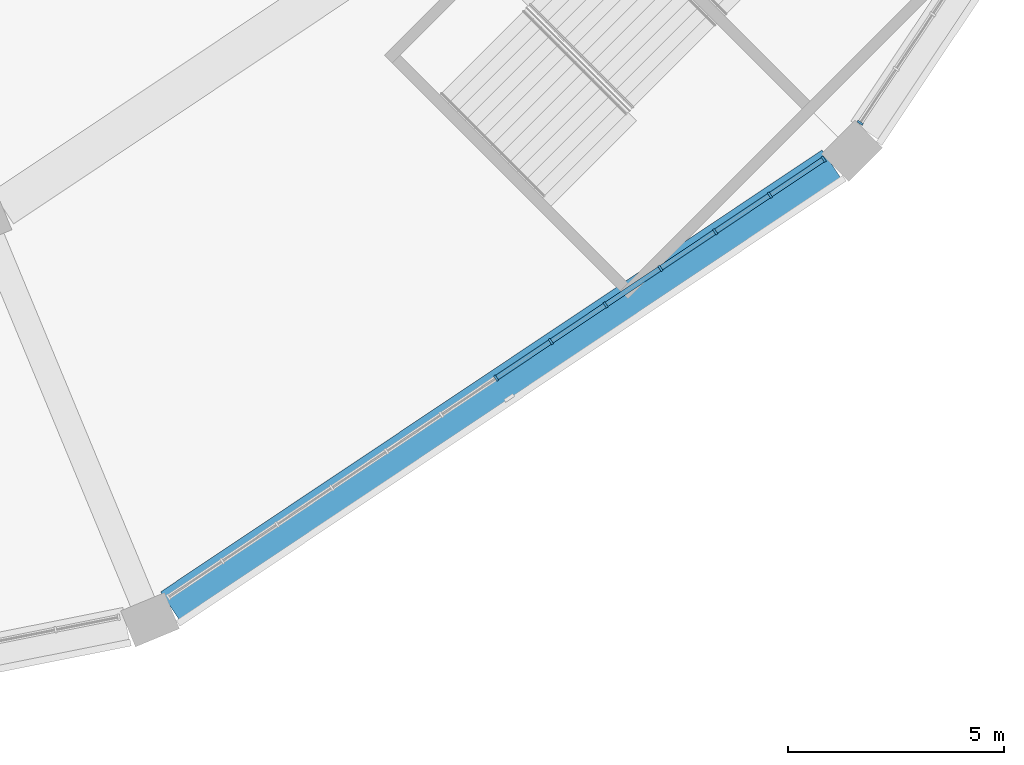
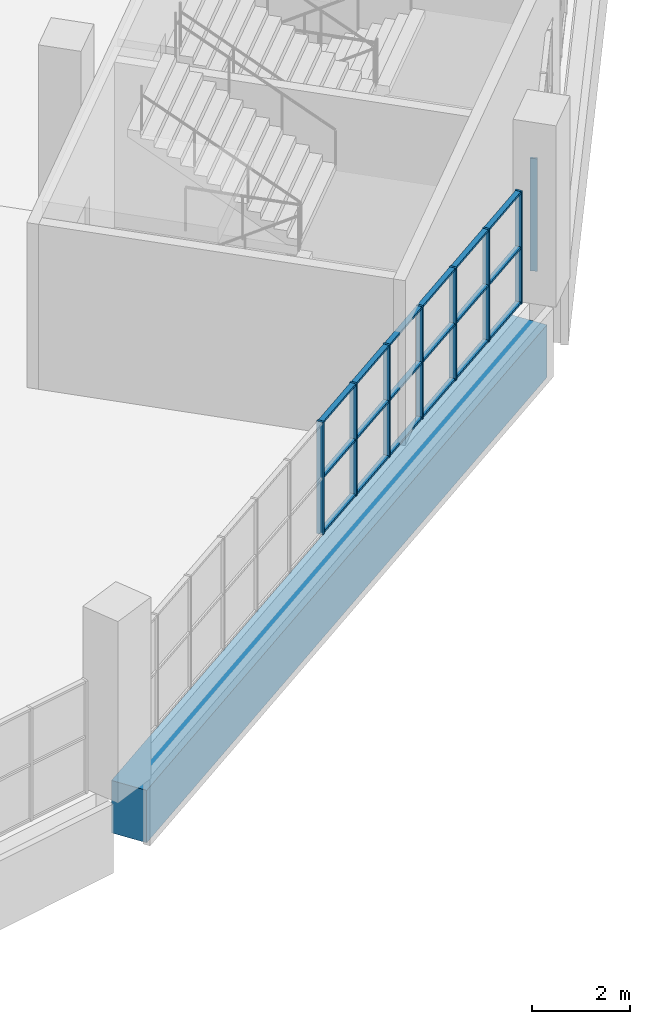
# One storey, part 22 of 199: 26 members, 1 beam, 2 elements without a shape of their own.
"""IFC4 building model written with IfcOpenShell, lengths in metres."""

from ifc_helpers import new_model, si_unit, direction, frame, origin, origin_2d, place, context, subcontext, project, spatial, rectangle, extrude, material, material_profile, profile_set, type_object, element, aggregate, save


model = new_model("IFC4")

# Units and contexts
model_context = context("Model", 3, precision=1e-05, world=origin(), true_north=direction((0.0, 1.0)))
body_context = subcontext(model_context, "Body", "Model", "MODEL_VIEW")
ifc_project = project(units=[si_unit("LENGTHUNIT", "METRE"), si_unit("AREAUNIT", "SQUARE_METRE"), si_unit("VOLUMEUNIT", "CUBIC_METRE"), si_unit("PLANEANGLEUNIT", "RADIAN"), si_unit("MASSUNIT", "GRAM", prefix="KILO")], contexts=[model_context])

# Site, building, storey
site_placement = place(None, origin())
site = spatial("IfcSite", under=ifc_project, at=site_placement, CompositionType="ELEMENT")
building_placement = place(site_placement, origin())
building = spatial("IfcBuilding", under=site, at=building_placement, Name="Ogive Plaza Stadium", CompositionType="ELEMENT")
storey_placement = place(building_placement, frame((0.0, 0.0, 9.0)))
storey = spatial("IfcBuildingStorey", under=building, at=storey_placement, Name="L02", CompositionType="ELEMENT", Elevation=9.0)

# Curtain wall, member
ifc_material_1 = material(Name="Bronze-anodised aluminium with laminated glass", Category="aluminium")
curtain_wall_type = type_object("IfcCurtainWallType", Name="Lancet curtain wall", PredefinedType="NOTDEFINED", material=ifc_material_1)
curtain_wall_1_placement = place(storey_placement, origin())
curtain_wall_1 = element("IfcCurtainWall", 1, at=curtain_wall_1_placement, inside=storey, type_object=curtain_wall_type, Name="CURTAIN WALL B09 L02", PredefinedType="NOTDEFINED")
ifc_material_2 = material(Name="Bronze-anodised aluminium", Category="aluminium")
ifc_material_profile_1 = material_profile(ifc_material_2, rectangle(XDim=0.14990234375, YDim=0.050048828125, at=origin_2d()), Name="AL 150x50")
ifc_profile_set_1 = profile_set([ifc_material_profile_1], Name="Bronze-anodised aluminium")
member_type_1 = type_object("IfcMemberType", Name="Curtain wall mullion 50x150", PredefinedType="MULLION", material=ifc_profile_set_1)
member_1_placement = place(storey_placement, frame((69.547607421875, -87.20751953125, 0.0), z_axis=(0.0, 0.0, 1.0), x_axis=(0.831469612303, -0.55557023302, 0.0)))
member_1 = element("IfcMember", 2, at=member_1_placement, type_object=member_type_1, Name="CW-B09-L02 mullion 13", PredefinedType="MULLION", context=body_context, shape_type="SweptSolid", body=[
    extrude(rectangle(XDim=0.14990234375, YDim=0.050048828125, at=origin_2d()), origin(), (0.0, 0.0, 1.0), 2.7900390625),
])
aggregate(curtain_wall_1, [member_1])

# Curtain wall, members
curtain_wall_2_placement = place(storey_placement, origin())
curtain_wall_2 = element("IfcCurtainWall", 3, at=curtain_wall_2_placement, inside=storey, type_object=curtain_wall_type, Name="CURTAIN WALL B10 L02", PredefinedType="NOTDEFINED")
member_2_placement = place(storey_placement, frame((68.70751953125, -88.047607421875, 0.0), z_axis=(0.0, 0.0, 1.0), x_axis=(0.55557023302, -0.831469612303, 0.0)))
member_2 = element("IfcMember", 4, at=member_2_placement, type_object=member_type_1, Name="CW-B10-L02 mullion 1", PredefinedType="MULLION", context=body_context, shape_type="SweptSolid", body=[
    extrude(rectangle(XDim=0.14990234375, YDim=0.050048828125, at=origin_2d()), origin(), (0.0, 0.0, 1.0), 2.7900390625),
])
member_3_placement = place(storey_placement, frame((67.462646484375, -88.879638671875, 0.0), z_axis=(0.0, 0.0, 1.0), x_axis=(0.55557023302, -0.831469612303, 0.0)))
member_3 = element("IfcMember", 5, at=member_3_placement, type_object=member_type_1, Name="CW-B10-L02 mullion 2", PredefinedType="MULLION", context=body_context, shape_type="SweptSolid", body=[
    extrude(rectangle(XDim=0.14990234375, YDim=0.050048828125, at=origin_2d()), origin(), (0.0, 0.0, 1.0), 2.7900390625),
])
member_4_placement = place(storey_placement, frame((66.19677734375, -89.725341796875, 0.0), z_axis=(0.0, 0.0, 1.0), x_axis=(0.55557023302, -0.831469612303, 0.0)))
member_4 = element("IfcMember", 6, at=member_4_placement, type_object=member_type_1, Name="CW-B10-L02 mullion 3", PredefinedType="MULLION", context=body_context, shape_type="SweptSolid", body=[
    extrude(rectangle(XDim=0.14990234375, YDim=0.050048828125, at=origin_2d()), origin(), (0.0, 0.0, 1.0), 2.7900390625),
])
member_5_placement = place(storey_placement, frame((64.930908203125, -90.571044921875, 0.0), z_axis=(0.0, 0.0, 1.0), x_axis=(0.55557023302, -0.831469612303, 0.0)))
member_5 = element("IfcMember", 7, at=member_5_placement, type_object=member_type_1, Name="CW-B10-L02 mullion 4", PredefinedType="MULLION", context=body_context, shape_type="SweptSolid", body=[
    extrude(rectangle(XDim=0.14990234375, YDim=0.050048828125, at=origin_2d()), origin(), (0.0, 0.0, 1.0), 2.7900390625),
])
member_6_placement = place(storey_placement, frame((63.665283203125, -91.416748046875, 0.0), z_axis=(0.0, 0.0, 1.0), x_axis=(0.55557023302, -0.831469612303, 0.0)))
member_6 = element("IfcMember", 8, at=member_6_placement, type_object=member_type_1, Name="CW-B10-L02 mullion 5", PredefinedType="MULLION", context=body_context, shape_type="SweptSolid", body=[
    extrude(rectangle(XDim=0.14990234375, YDim=0.050048828125, at=origin_2d()), origin(), (0.0, 0.0, 1.0), 2.7900390625),
])
member_7_placement = place(storey_placement, frame((62.3994140625, -92.2626953125, 0.0), z_axis=(0.0, 0.0, 1.0), x_axis=(0.55557023302, -0.831469612303, 0.0)))
member_7 = element("IfcMember", 9, at=member_7_placement, type_object=member_type_1, Name="CW-B10-L02 mullion 6", PredefinedType="MULLION", context=body_context, shape_type="SweptSolid", body=[
    extrude(rectangle(XDim=0.14990234375, YDim=0.050048828125, at=origin_2d()), origin(), (0.0, 0.0, 1.0), 2.7900390625),
])
member_8_placement = place(storey_placement, frame((61.133544921875, -93.1083984375, 0.0), z_axis=(0.0, 0.0, 1.0), x_axis=(0.55557023302, -0.831469612303, 0.0)))
member_8 = element("IfcMember", 10, at=member_8_placement, type_object=member_type_1, Name="CW-B10-L02 mullion 7", PredefinedType="MULLION", context=body_context, shape_type="SweptSolid", body=[
    extrude(rectangle(XDim=0.14990234375, YDim=0.050048828125, at=origin_2d()), origin(), (0.0, 0.0, 1.0), 2.7900390625),
])
ifc_material_3 = material(Name="Bronze-anodised aluminium", Category="aluminium")
ifc_material_profile_2 = material_profile(ifc_material_3, rectangle(XDim=0.1201171875, YDim=0.050048828125, at=origin_2d()), Name="AL 120x50")
ifc_profile_set_2 = profile_set([ifc_material_profile_2], Name="Bronze-anodised aluminium")
member_type_2 = type_object("IfcMemberType", Name="Curtain wall transom 50x120", PredefinedType="USERDEFINED", material=ifc_profile_set_2)
member_9_placement = place(storey_placement, frame((68.686767578125, -88.0615234375, 0.02490234375), z_axis=(-0.831426948977, -0.555634077892, 0.0), x_axis=(0.555634077892, -0.831426948977, 0.0)))
member_9 = element("IfcMember", 11, at=member_9_placement, type_object=member_type_2, Name="CW-B10-L02 transom 1.1", ObjectType="TRANSOM", PredefinedType="USERDEFINED", context=body_context, shape_type="SweptSolid", body=[
    extrude(rectangle(XDim=0.1201171875, YDim=0.050048828125, at=origin_2d()), origin(), (0.0, 0.0, 1.0), 1.447265625),
])
member_10_placement = place(storey_placement, frame((68.686767578125, -88.0615234375, 1.39501953125), z_axis=(-0.831426948977, -0.555634077892, 0.0), x_axis=(0.555634077892, -0.831426948977, 0.0)))
member_10 = element("IfcMember", 12, at=member_10_placement, type_object=member_type_2, Name="CW-B10-L02 transom 1.2", ObjectType="TRANSOM", PredefinedType="USERDEFINED", context=body_context, shape_type="SweptSolid", body=[
    extrude(rectangle(XDim=0.1201171875, YDim=0.050048828125, at=origin_2d()), origin(), (0.0, 0.0, 1.0), 1.447265625),
])
member_11_placement = place(storey_placement, frame((68.686767578125, -88.0615234375, 2.764892578125), z_axis=(-0.831426948977, -0.555634077892, 0.0), x_axis=(0.555634077892, -0.831426948977, 0.0)))
member_11 = element("IfcMember", 13, at=member_11_placement, type_object=member_type_2, Name="CW-B10-L02 transom 1.3", ObjectType="TRANSOM", PredefinedType="USERDEFINED", context=body_context, shape_type="SweptSolid", body=[
    extrude(rectangle(XDim=0.1201171875, YDim=0.050048828125, at=origin_2d()), origin(), (0.0, 0.0, 1.0), 1.447265625),
])
member_12_placement = place(storey_placement, frame((67.441650390625, -88.893310546875, 0.02490234375), z_axis=(-0.831411982446, -0.555656472512, 0.0), x_axis=(0.555656472512, -0.831411982446, 0.0)))
member_12 = element("IfcMember", 14, at=member_12_placement, type_object=member_type_2, Name="CW-B10-L02 transom 2.1", ObjectType="TRANSOM", PredefinedType="USERDEFINED", context=body_context, shape_type="SweptSolid", body=[
    extrude(rectangle(XDim=0.1201171875, YDim=0.050048828125, at=origin_2d()), origin(), (0.0, 0.0, 1.0), 1.472412109375),
])
member_13_placement = place(storey_placement, frame((67.441650390625, -88.893310546875, 1.39501953125), z_axis=(-0.831411982446, -0.555656472512, 0.0), x_axis=(0.555656472512, -0.831411982446, 0.0)))
member_13 = element("IfcMember", 15, at=member_13_placement, type_object=member_type_2, Name="CW-B10-L02 transom 2.2", ObjectType="TRANSOM", PredefinedType="USERDEFINED", context=body_context, shape_type="SweptSolid", body=[
    extrude(rectangle(XDim=0.1201171875, YDim=0.050048828125, at=origin_2d()), origin(), (0.0, 0.0, 1.0), 1.472412109375),
])
member_14_placement = place(storey_placement, frame((67.441650390625, -88.893310546875, 2.764892578125), z_axis=(-0.831411982446, -0.555656472512, 0.0), x_axis=(0.555656472512, -0.831411982446, 0.0)))
member_14 = element("IfcMember", 16, at=member_14_placement, type_object=member_type_2, Name="CW-B10-L02 transom 2.3", ObjectType="TRANSOM", PredefinedType="USERDEFINED", context=body_context, shape_type="SweptSolid", body=[
    extrude(rectangle(XDim=0.1201171875, YDim=0.050048828125, at=origin_2d()), origin(), (0.0, 0.0, 1.0), 1.472412109375),
])
member_15_placement = place(storey_placement, frame((66.176025390625, -89.7392578125, 0.02490234375), z_axis=(-0.83153975619, -0.555465240925, 0.0), x_axis=(0.555465240925, -0.83153975619, 0.0)))
member_15 = element("IfcMember", 17, at=member_15_placement, type_object=member_type_2, Name="CW-B10-L02 transom 3.1", ObjectType="TRANSOM", PredefinedType="USERDEFINED", context=body_context, shape_type="SweptSolid", body=[
    extrude(rectangle(XDim=0.1201171875, YDim=0.050048828125, at=origin_2d()), origin(), (0.0, 0.0, 1.0), 1.472412109375),
])
member_16_placement = place(storey_placement, frame((66.176025390625, -89.7392578125, 1.39501953125), z_axis=(-0.83153975619, -0.555465240925, 0.0), x_axis=(0.555465240925, -0.83153975619, 0.0)))
member_16 = element("IfcMember", 18, at=member_16_placement, type_object=member_type_2, Name="CW-B10-L02 transom 3.2", ObjectType="TRANSOM", PredefinedType="USERDEFINED", context=body_context, shape_type="SweptSolid", body=[
    extrude(rectangle(XDim=0.1201171875, YDim=0.050048828125, at=origin_2d()), origin(), (0.0, 0.0, 1.0), 1.472412109375),
])
member_17_placement = place(storey_placement, frame((66.176025390625, -89.7392578125, 2.764892578125), z_axis=(-0.83153975619, -0.555465240925, 0.0), x_axis=(0.555465240925, -0.83153975619, 0.0)))
member_17 = element("IfcMember", 19, at=member_17_placement, type_object=member_type_2, Name="CW-B10-L02 transom 3.3", ObjectType="TRANSOM", PredefinedType="USERDEFINED", context=body_context, shape_type="SweptSolid", body=[
    extrude(rectangle(XDim=0.1201171875, YDim=0.050048828125, at=origin_2d()), origin(), (0.0, 0.0, 1.0), 1.472412109375),
])
member_18_placement = place(storey_placement, frame((64.91015625, -90.5849609375, 0.02490234375), z_axis=(-0.831488586159, -0.555541835587, 0.0), x_axis=(0.555541835587, -0.831488586159, 0.0)))
member_18 = element("IfcMember", 20, at=member_18_placement, type_object=member_type_2, Name="CW-B10-L02 transom 4.1", ObjectType="TRANSOM", PredefinedType="USERDEFINED", context=body_context, shape_type="SweptSolid", body=[
    extrude(rectangle(XDim=0.1201171875, YDim=0.050048828125, at=origin_2d()), origin(), (0.0, 0.0, 1.0), 1.47216796875),
])
member_19_placement = place(storey_placement, frame((64.91015625, -90.5849609375, 1.39501953125), z_axis=(-0.831488586159, -0.555541835587, 0.0), x_axis=(0.555541835587, -0.831488586159, 0.0)))
member_19 = element("IfcMember", 21, at=member_19_placement, type_object=member_type_2, Name="CW-B10-L02 transom 4.2", ObjectType="TRANSOM", PredefinedType="USERDEFINED", context=body_context, shape_type="SweptSolid", body=[
    extrude(rectangle(XDim=0.1201171875, YDim=0.050048828125, at=origin_2d()), origin(), (0.0, 0.0, 1.0), 1.47216796875),
])
member_20_placement = place(storey_placement, frame((64.91015625, -90.5849609375, 2.764892578125), z_axis=(-0.831488586159, -0.555541835587, 0.0), x_axis=(0.555541835587, -0.831488586159, 0.0)))
member_20 = element("IfcMember", 22, at=member_20_placement, type_object=member_type_2, Name="CW-B10-L02 transom 4.3", ObjectType="TRANSOM", PredefinedType="USERDEFINED", context=body_context, shape_type="SweptSolid", body=[
    extrude(rectangle(XDim=0.1201171875, YDim=0.050048828125, at=origin_2d()), origin(), (0.0, 0.0, 1.0), 1.47216796875),
])
member_21_placement = place(storey_placement, frame((63.64453125, -91.4306640625, 0.02490234375), z_axis=(-0.831463168883, -0.555579876157, 0.0), x_axis=(0.555579876157, -0.831463168883, 0.0)))
member_21 = element("IfcMember", 23, at=member_21_placement, type_object=member_type_2, Name="CW-B10-L02 transom 5.1", ObjectType="TRANSOM", PredefinedType="USERDEFINED", context=body_context, shape_type="SweptSolid", body=[
    extrude(rectangle(XDim=0.1201171875, YDim=0.050048828125, at=origin_2d()), origin(), (0.0, 0.0, 1.0), 1.47265625),
])
member_22_placement = place(storey_placement, frame((63.64453125, -91.4306640625, 1.39501953125), z_axis=(-0.831463168883, -0.555579876157, 0.0), x_axis=(0.555579876157, -0.831463168883, 0.0)))
member_22 = element("IfcMember", 24, at=member_22_placement, type_object=member_type_2, Name="CW-B10-L02 transom 5.2", ObjectType="TRANSOM", PredefinedType="USERDEFINED", context=body_context, shape_type="SweptSolid", body=[
    extrude(rectangle(XDim=0.1201171875, YDim=0.050048828125, at=origin_2d()), origin(), (0.0, 0.0, 1.0), 1.47265625),
])
member_23_placement = place(storey_placement, frame((63.64453125, -91.4306640625, 2.764892578125), z_axis=(-0.831463168883, -0.555579876157, 0.0), x_axis=(0.555579876157, -0.831463168883, 0.0)))
member_23 = element("IfcMember", 25, at=member_23_placement, type_object=member_type_2, Name="CW-B10-L02 transom 5.3", ObjectType="TRANSOM", PredefinedType="USERDEFINED", context=body_context, shape_type="SweptSolid", body=[
    extrude(rectangle(XDim=0.1201171875, YDim=0.050048828125, at=origin_2d()), origin(), (0.0, 0.0, 1.0), 1.47265625),
])
member_24_placement = place(storey_placement, frame((62.378662109375, -92.2763671875, 0.02490234375), z_axis=(-0.831411982446, -0.555656472512, 0.0), x_axis=(0.555656472512, -0.831411982446, 0.0)))
member_24 = element("IfcMember", 26, at=member_24_placement, type_object=member_type_2, Name="CW-B10-L02 transom 6.1", ObjectType="TRANSOM", PredefinedType="USERDEFINED", context=body_context, shape_type="SweptSolid", body=[
    extrude(rectangle(XDim=0.1201171875, YDim=0.050048828125, at=origin_2d()), origin(), (0.0, 0.0, 1.0), 1.472412109375),
])
member_25_placement = place(storey_placement, frame((62.378662109375, -92.2763671875, 1.39501953125), z_axis=(-0.831411982446, -0.555656472512, 0.0), x_axis=(0.555656472512, -0.831411982446, 0.0)))
member_25 = element("IfcMember", 27, at=member_25_placement, type_object=member_type_2, Name="CW-B10-L02 transom 6.2", ObjectType="TRANSOM", PredefinedType="USERDEFINED", context=body_context, shape_type="SweptSolid", body=[
    extrude(rectangle(XDim=0.1201171875, YDim=0.050048828125, at=origin_2d()), origin(), (0.0, 0.0, 1.0), 1.472412109375),
])
member_26_placement = place(storey_placement, frame((62.378662109375, -92.2763671875, 2.764892578125), z_axis=(-0.831411982446, -0.555656472512, 0.0), x_axis=(0.555656472512, -0.831411982446, 0.0)))
member_26 = element("IfcMember", 28, at=member_26_placement, type_object=member_type_2, Name="CW-B10-L02 transom 6.3", ObjectType="TRANSOM", PredefinedType="USERDEFINED", context=body_context, shape_type="SweptSolid", body=[
    extrude(rectangle(XDim=0.1201171875, YDim=0.050048828125, at=origin_2d()), origin(), (0.0, 0.0, 1.0), 1.472412109375),
])
aggregate(curtain_wall_2, [member_2, member_3, member_4, member_5, member_6, member_7, member_8, member_9, member_10, member_11, member_12, member_13, member_14, member_15, member_16, member_17, member_18, member_19, member_20, member_21, member_22, member_23, member_24, member_25, member_26])

# Beam
ifc_material_4 = material(Name="Concrete C40/50", Category="concrete")
ifc_material_profile_3 = material_profile(ifc_material_4, rectangle(XDim=0.800048828125, YDim=1.300048828125, at=origin_2d()), Name="RC 800x1300")
ifc_profile_set_3 = profile_set([ifc_material_profile_3], Name="Concrete C40/50")
beam_type = type_object("IfcBeamType", Name="RC spandrel beam 800x1300", PredefinedType="SPANDREL", material=ifc_profile_set_3)
beam_placement = place(storey_placement, frame((68.88916015625, -88.1669921875, -1.06005859375), z_axis=(-0.831477897484, -0.555557833169, 0.0), x_axis=(0.555557833169, -0.831477897484, 0.0)))
element("IfcBeam", 29, at=beam_placement, inside=storey, type_object=beam_type, Name="Ring beam F5 L02 B10", PredefinedType="SPANDREL", context=body_context, shape_type="SweptSolid", body=[
    extrude(rectangle(XDim=0.800048828125, YDim=1.300048828125, at=origin_2d()), origin(), (0.0, 0.0, 1.0), 18.387451171875),
])

save(model, "model.ifc")
